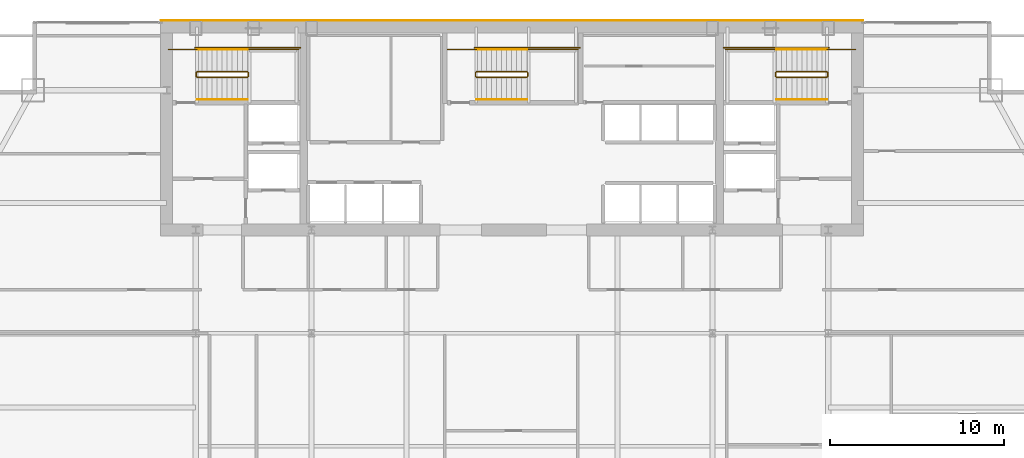
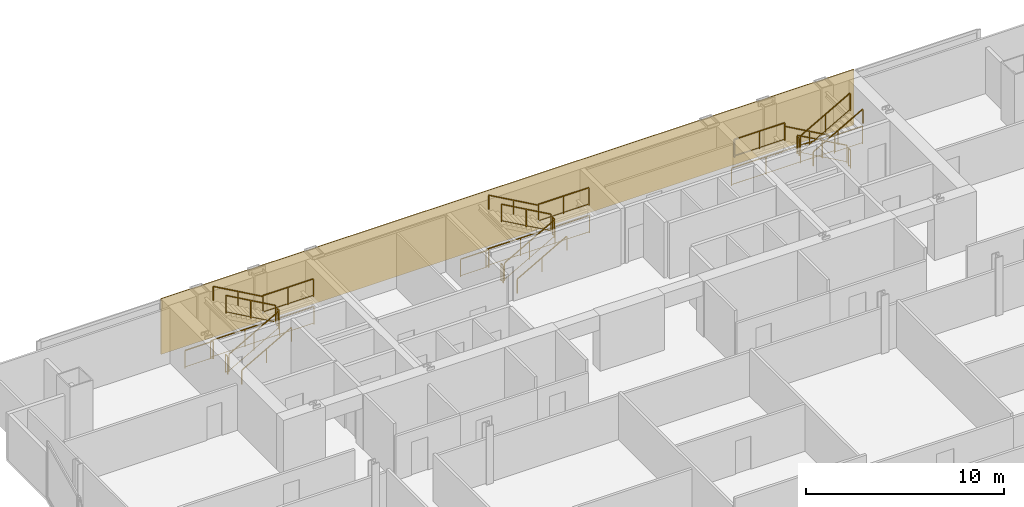
# One storey, part 29 of 29: 27 railings, 1 covering.
"""IFC4 building model written with IfcOpenShell, lengths in metres."""

from ifc_helpers import new_model, si_unit, direction, frame, origin, origin_2d, place, context, subcontext, project, spatial, polyline, rectangle, outline, extrude, material, layer, layer_set, type_object, element, save


model = new_model("IFC4")

# Units and contexts
model_context = context("Model", 3, precision=1e-05, world=origin(), true_north=direction((0.0, 1.0)))
body_context = subcontext(model_context, "Body", "Model", "MODEL_VIEW")
ifc_project = project(units=[si_unit("LENGTHUNIT", "METRE"), si_unit("AREAUNIT", "SQUARE_METRE"), si_unit("VOLUMEUNIT", "CUBIC_METRE"), si_unit("PLANEANGLEUNIT", "RADIAN"), si_unit("MASSUNIT", "GRAM", prefix="KILO")], contexts=[model_context])

# Site, building, storey
site_placement = place(None, origin())
site = spatial("IfcSite", under=ifc_project, at=site_placement, CompositionType="ELEMENT")
building_placement = place(site_placement, origin())
building = spatial("IfcBuilding", under=site, at=building_placement, Name="Khoronbel Lancet Exchange", CompositionType="ELEMENT")
storey_placement = place(building_placement, frame((0.0, 0.0, 165.0)))
storey = spatial("IfcBuildingStorey", under=building, at=storey_placement, Name="L41", CompositionType="ELEMENT", Elevation=165.0)

# Covering
ifc_material_1 = material(Name="Honed Egyptian Limestone & Bronze Rainscreen", Category="masonry")
ifc_layer = layer(ifc_material_1, 0.050048828125, Name="Honed Egyptian Limestone & Bronze Rainscreen")
ifc_layer_set = layer_set([ifc_layer], Name="Honed Egyptian Limestone & Bronze Rainscreen")
covering_type = type_object("IfcCoveringType", Name="COV-CLAD1", PredefinedType="CLADDING", material=ifc_layer_set)
covering_placement = place(storey_placement, origin())
element("IfcCovering", 1, at=covering_placement, inside=storey, type_object=covering_type, Name="Level L41 north rear-core stone and bronze rainscreen cladding", PredefinedType="CLADDING", context=body_context, shape_type="SweptSolid", body=[
    extrude(outline(polyline([(16.199951171875, 53.699951171875), (56.699951171875, 53.699951171875), (56.699951171875, 53.75), (16.199951171875, 53.75), (16.199951171875, 53.699951171875)])), origin(), (0.0, 0.0, 1.0), 3.43994140625),
])

# Railings
ifc_material_2 = material(Name="Painted Steel Balustrade", Category="steel")
railing_type_1 = type_object("IfcRailingType", Name="RL-STG110", PredefinedType="GUARDRAIL", material=ifc_material_2)
railing_1_placement = place(storey_placement, frame((18.300048828125, 50.449951171875, 0.16357421875)))
element("IfcRailing", 2, at=railing_1_placement, inside=storey, type_object=railing_type_1, Name="L41 ST1 stair guard 1", PredefinedType="GUARDRAIL", context=body_context, shape_type="SweptSolid", body=[
    extrude(rectangle(XDim=0.048095703125, YDim=0.048095703125, at=origin_2d()), frame((0.0, 0.0, 1.09619140625), z_axis=(0.870897200241, 0.0, 0.491465224214), x_axis=(0.0, 1.0, 0.0)), (0.0, 0.0, 1.0), 3.329833984375),
    extrude(rectangle(XDim=0.02392578125, YDim=0.02392578125, at=origin_2d()), frame((0.0, 0.0, 0.080078125), z_axis=(0.870897200241, 0.0, 0.491465224214), x_axis=(0.0, 1.0, 0.0)), (0.0, 0.0, 1.0), 3.329833984375),
    extrude(rectangle(XDim=0.0419921875, YDim=0.0419921875, at=origin_2d()), origin(), (0.0, 0.0, 1.0), 1.072021484375),
    extrude(rectangle(XDim=0.0419921875, YDim=0.0419921875, at=origin_2d()), frame((1.449951171875, 0.0, 0.818359375)), (0.0, 0.0, 1.0), 1.072021484375),
    extrude(rectangle(XDim=0.0419921875, YDim=0.0419921875, at=origin_2d()), frame((2.89990234375, 0.0, 1.636474609375)), (0.0, 0.0, 1.0), 1.072021484375),
])
railing_2_placement = place(storey_placement, frame((21.25, 50.5, 1.800048828125)))
element("IfcRailing", 3, at=railing_2_placement, inside=storey, type_object=railing_type_1, Name="L41 ST1 stair guard 2", PredefinedType="GUARDRAIL", context=body_context, shape_type="SweptSolid", body=[
    extrude(rectangle(XDim=0.048095703125, YDim=0.048095703125, at=origin_2d()), frame((0.0, 0.0, 1.09619140625), z_axis=(0.0, 1.0, 0.0), x_axis=(-1.0, 0.0, 0.0)), (0.0, 0.0, 1.0), 0.219970703125),
    extrude(rectangle(XDim=0.02392578125, YDim=0.02392578125, at=origin_2d()), frame((0.0, 0.0, 0.080078125), z_axis=(0.0, 1.0, 0.0), x_axis=(-1.0, 0.0, 0.0)), (0.0, 0.0, 1.0), 0.219970703125),
    extrude(rectangle(XDim=0.0419921875, YDim=0.0419921875, at=origin_2d()), origin(), (0.0, 0.0, 1.0), 1.072021484375),
    extrude(rectangle(XDim=0.0419921875, YDim=0.0419921875, at=origin_2d()), frame((0.0, 0.219970703125, 0.0)), (0.0, 0.0, 1.0), 1.072021484375),
])
railing_3_placement = place(storey_placement, frame((21.199951171875, 52.050048828125, 1.800048828125)))
element("IfcRailing", 4, at=railing_3_placement, inside=storey, type_object=railing_type_1, Name="L41 ST1 stair guard 3", PredefinedType="GUARDRAIL", context=body_context, shape_type="SweptSolid", body=[
    extrude(rectangle(XDim=0.048095703125, YDim=0.048095703125, at=origin_2d()), frame((0.0, 0.0, 1.09619140625), z_axis=(1.0, 0.0, 0.0), x_axis=(0.0, 1.0, 0.0)), (0.0, 0.0, 1.0), 2.949951171875),
    extrude(rectangle(XDim=0.02392578125, YDim=0.02392578125, at=origin_2d()), frame((0.0, 0.0, 0.080078125), z_axis=(1.0, 0.0, 0.0), x_axis=(0.0, 1.0, 0.0)), (0.0, 0.0, 1.0), 2.949951171875),
    extrude(rectangle(XDim=0.0419921875, YDim=0.0419921875, at=origin_2d()), origin(), (0.0, 0.0, 1.0), 1.072021484375),
    extrude(rectangle(XDim=0.0419921875, YDim=0.0419921875, at=origin_2d()), frame((1.47509765625, 0.0, 0.0)), (0.0, 0.0, 1.0), 1.072021484375),
    extrude(rectangle(XDim=0.0419921875, YDim=0.0419921875, at=origin_2d()), frame((2.949951171875, 0.0, 0.0)), (0.0, 0.0, 1.0), 1.072021484375),
])
railing_4_placement = place(storey_placement, frame((21.199951171875, 50.77001953125, 1.963623046875)))
element("IfcRailing", 5, at=railing_4_placement, inside=storey, type_object=railing_type_1, Name="L41 ST1 stair guard 4", PredefinedType="GUARDRAIL", context=body_context, shape_type="SweptSolid", body=[
    extrude(rectangle(XDim=0.048095703125, YDim=0.048095703125, at=origin_2d()), frame((0.0, 0.0, 1.09619140625), z_axis=(-0.870897200241, 0.0, 0.491465224214), x_axis=(0.0, -1.0, 0.0)), (0.0, 0.0, 1.0), 3.329833984375),
    extrude(rectangle(XDim=0.02392578125, YDim=0.02392578125, at=origin_2d()), frame((0.0, 0.0, 0.080078125), z_axis=(-0.870897200241, 0.0, 0.491465224214), x_axis=(0.0, -1.0, 0.0)), (0.0, 0.0, 1.0), 3.329833984375),
    extrude(rectangle(XDim=0.0419921875, YDim=0.0419921875, at=origin_2d()), origin(), (0.0, 0.0, 1.0), 1.072021484375),
    extrude(rectangle(XDim=0.0419921875, YDim=0.0419921875, at=origin_2d()), frame((-1.449951171875, 0.0, 0.818359375)), (0.0, 0.0, 1.0), 1.072021484375),
    extrude(rectangle(XDim=0.0419921875, YDim=0.0419921875, at=origin_2d()), frame((-2.89990234375, 0.0, 1.636474609375)), (0.0, 0.0, 1.0), 1.072021484375),
])
railing_5_placement = place(storey_placement, frame((18.25, 50.5, 0.0)))
element("IfcRailing", 6, at=railing_5_placement, inside=storey, type_object=railing_type_1, Name="L41 ST1 stair guard 5", PredefinedType="GUARDRAIL", context=body_context, shape_type="SweptSolid", body=[
    extrude(rectangle(XDim=0.048095703125, YDim=0.048095703125, at=origin_2d()), frame((0.0, 0.0, 1.09619140625), z_axis=(0.0, 1.0, 0.0), x_axis=(-1.0, 0.0, 0.0)), (0.0, 0.0, 1.0), 0.219970703125),
    extrude(rectangle(XDim=0.02392578125, YDim=0.02392578125, at=origin_2d()), frame((0.0, 0.0, 0.080078125), z_axis=(0.0, 1.0, 0.0), x_axis=(-1.0, 0.0, 0.0)), (0.0, 0.0, 1.0), 0.219970703125),
    extrude(rectangle(XDim=0.0419921875, YDim=0.0419921875, at=origin_2d()), origin(), (0.0, 0.0, 1.0), 1.072021484375),
    extrude(rectangle(XDim=0.0419921875, YDim=0.0419921875, at=origin_2d()), frame((0.0, 0.219970703125, 0.0)), (0.0, 0.0, 1.0), 1.072021484375),
])
railing_6_placement = place(storey_placement, frame((16.64990234375, 52.050048828125, 0.0)))
element("IfcRailing", 7, at=railing_6_placement, inside=storey, type_object=railing_type_1, Name="L41 ST1 stair guard 6", PredefinedType="GUARDRAIL", context=body_context, shape_type="SweptSolid", body=[
    extrude(rectangle(XDim=0.048095703125, YDim=0.048095703125, at=origin_2d()), frame((0.0, 0.0, 1.09619140625), z_axis=(1.0, 0.0, 0.0), x_axis=(0.0, 1.0, 0.0)), (0.0, 0.0, 1.0), 1.650146484375),
    extrude(rectangle(XDim=0.02392578125, YDim=0.02392578125, at=origin_2d()), frame((0.0, 0.0, 0.080078125), z_axis=(1.0, 0.0, 0.0), x_axis=(0.0, 1.0, 0.0)), (0.0, 0.0, 1.0), 1.650146484375),
    extrude(rectangle(XDim=0.0419921875, YDim=0.0419921875, at=origin_2d()), origin(), (0.0, 0.0, 1.0), 1.072021484375),
    extrude(rectangle(XDim=0.0419921875, YDim=0.0419921875, at=origin_2d()), frame((1.650146484375, 0.0, 0.0)), (0.0, 0.0, 1.0), 1.072021484375),
])
railing_7_placement = place(storey_placement, frame((18.199951171875, 52.14990234375, 0.0)))
element("IfcRailing", 8, at=railing_7_placement, inside=storey, type_object=railing_type_1, Name="L41 ST1 stair guard 7", PredefinedType="GUARDRAIL", context=body_context, shape_type="SweptSolid", body=[
    extrude(rectangle(XDim=0.048095703125, YDim=0.048095703125, at=origin_2d()), frame((0.0, 0.0, 1.09619140625), z_axis=(1.0, 0.0, 0.0), x_axis=(0.0, 1.0, 0.0)), (0.0, 0.0, 1.0), 6.050048828125),
    extrude(rectangle(XDim=0.02392578125, YDim=0.02392578125, at=origin_2d()), frame((0.0, 0.0, 0.080078125), z_axis=(1.0, 0.0, 0.0), x_axis=(0.0, 1.0, 0.0)), (0.0, 0.0, 1.0), 6.050048828125),
    extrude(rectangle(XDim=0.0419921875, YDim=0.0419921875, at=origin_2d()), origin(), (0.0, 0.0, 1.0), 1.072021484375),
    extrude(rectangle(XDim=0.0419921875, YDim=0.0419921875, at=origin_2d()), frame((2.0166015625, 0.0, 0.0)), (0.0, 0.0, 1.0), 1.072021484375),
    extrude(rectangle(XDim=0.0419921875, YDim=0.0419921875, at=origin_2d()), frame((4.033447265625, 0.0, 0.0)), (0.0, 0.0, 1.0), 1.072021484375),
    extrude(rectangle(XDim=0.0419921875, YDim=0.0419921875, at=origin_2d()), frame((6.050048828125, 0.0, 0.0)), (0.0, 0.0, 1.0), 1.072021484375),
])
railing_8_placement = place(storey_placement, frame((54.60009765625, 50.77001953125, 0.16357421875)))
element("IfcRailing", 9, at=railing_8_placement, inside=storey, type_object=railing_type_1, Name="L41 ST2 stair guard 1", PredefinedType="GUARDRAIL", context=body_context, shape_type="SweptSolid", body=[
    extrude(rectangle(XDim=0.048095703125, YDim=0.048095703125, at=origin_2d()), frame((0.0, 0.0, 1.09619140625), z_axis=(-0.870914908162, 0.0, 0.491433843708), x_axis=(0.0, -1.0, 0.0)), (0.0, 0.0, 1.0), 3.330078125),
    extrude(rectangle(XDim=0.02392578125, YDim=0.02392578125, at=origin_2d()), frame((0.0, 0.0, 0.080078125), z_axis=(-0.870914908162, 0.0, 0.491433843708), x_axis=(0.0, -1.0, 0.0)), (0.0, 0.0, 1.0), 3.330078125),
    extrude(rectangle(XDim=0.0419921875, YDim=0.0419921875, at=origin_2d()), origin(), (0.0, 0.0, 1.0), 1.072021484375),
    extrude(rectangle(XDim=0.0419921875, YDim=0.0419921875, at=origin_2d()), frame((-1.4501953125, 0.0, 0.818359375)), (0.0, 0.0, 1.0), 1.072021484375),
    extrude(rectangle(XDim=0.0419921875, YDim=0.0419921875, at=origin_2d()), frame((-2.900146484375, 0.0, 1.636474609375)), (0.0, 0.0, 1.0), 1.072021484375),
])
railing_9_placement = place(storey_placement, frame((51.64990234375, 50.719970703125, 1.800048828125)))
element("IfcRailing", 10, at=railing_9_placement, inside=storey, type_object=railing_type_1, Name="L41 ST2 stair guard 2", PredefinedType="GUARDRAIL", context=body_context, shape_type="SweptSolid", body=[
    extrude(rectangle(XDim=0.048095703125, YDim=0.048095703125, at=origin_2d()), frame((0.0, 0.0, 1.09619140625), z_axis=(0.0, -1.0, 0.0), x_axis=(1.0, 0.0, 0.0)), (0.0, 0.0, 1.0), 0.219970703125),
    extrude(rectangle(XDim=0.02392578125, YDim=0.02392578125, at=origin_2d()), frame((0.0, 0.0, 0.080078125), z_axis=(0.0, -1.0, 0.0), x_axis=(1.0, 0.0, 0.0)), (0.0, 0.0, 1.0), 0.219970703125),
    extrude(rectangle(XDim=0.0419921875, YDim=0.0419921875, at=origin_2d()), origin(), (0.0, 0.0, 1.0), 1.072021484375),
    extrude(rectangle(XDim=0.0419921875, YDim=0.0419921875, at=origin_2d()), frame((0.0, -0.219970703125, 0.0)), (0.0, 0.0, 1.0), 1.072021484375),
])
railing_10_placement = place(storey_placement, frame((51.699951171875, 52.050048828125, 1.800048828125)))
element("IfcRailing", 11, at=railing_10_placement, inside=storey, type_object=railing_type_1, Name="L41 ST2 stair guard 3", PredefinedType="GUARDRAIL", context=body_context, shape_type="SweptSolid", body=[
    extrude(rectangle(XDim=0.048095703125, YDim=0.048095703125, at=origin_2d()), frame((0.0, 0.0, 1.09619140625), z_axis=(-1.0, 0.0, 0.0), x_axis=(0.0, -1.0, 0.0)), (0.0, 0.0, 1.0), 2.949951171875),
    extrude(rectangle(XDim=0.02392578125, YDim=0.02392578125, at=origin_2d()), frame((0.0, 0.0, 0.080078125), z_axis=(-1.0, 0.0, 0.0), x_axis=(0.0, -1.0, 0.0)), (0.0, 0.0, 1.0), 2.949951171875),
    extrude(rectangle(XDim=0.0419921875, YDim=0.0419921875, at=origin_2d()), origin(), (0.0, 0.0, 1.0), 1.072021484375),
    extrude(rectangle(XDim=0.0419921875, YDim=0.0419921875, at=origin_2d()), frame((-1.47509765625, 0.0, 0.0)), (0.0, 0.0, 1.0), 1.072021484375),
    extrude(rectangle(XDim=0.0419921875, YDim=0.0419921875, at=origin_2d()), frame((-2.949951171875, 0.0, 0.0)), (0.0, 0.0, 1.0), 1.072021484375),
])
railing_11_placement = place(storey_placement, frame((51.699951171875, 50.449951171875, 1.963623046875)))
element("IfcRailing", 12, at=railing_11_placement, inside=storey, type_object=railing_type_1, Name="L41 ST2 stair guard 4", PredefinedType="GUARDRAIL", context=body_context, shape_type="SweptSolid", body=[
    extrude(rectangle(XDim=0.048095703125, YDim=0.048095703125, at=origin_2d()), frame((0.0, 0.0, 1.09619140625), z_axis=(0.870914908162, 0.0, 0.491433843708), x_axis=(0.0, 1.0, 0.0)), (0.0, 0.0, 1.0), 3.330078125),
    extrude(rectangle(XDim=0.02392578125, YDim=0.02392578125, at=origin_2d()), frame((0.0, 0.0, 0.080078125), z_axis=(0.870914908162, 0.0, 0.491433843708), x_axis=(0.0, 1.0, 0.0)), (0.0, 0.0, 1.0), 3.330078125),
    extrude(rectangle(XDim=0.0419921875, YDim=0.0419921875, at=origin_2d()), origin(), (0.0, 0.0, 1.0), 1.072021484375),
    extrude(rectangle(XDim=0.0419921875, YDim=0.0419921875, at=origin_2d()), frame((1.4501953125, 0.0, 0.818359375)), (0.0, 0.0, 1.0), 1.072021484375),
    extrude(rectangle(XDim=0.0419921875, YDim=0.0419921875, at=origin_2d()), frame((2.900146484375, 0.0, 1.636474609375)), (0.0, 0.0, 1.0), 1.072021484375),
])
railing_12_placement = place(storey_placement, frame((54.64990234375, 50.719970703125, 0.0)))
element("IfcRailing", 13, at=railing_12_placement, inside=storey, type_object=railing_type_1, Name="L41 ST2 stair guard 5", PredefinedType="GUARDRAIL", context=body_context, shape_type="SweptSolid", body=[
    extrude(rectangle(XDim=0.048095703125, YDim=0.048095703125, at=origin_2d()), frame((0.0, 0.0, 1.09619140625), z_axis=(0.0, -1.0, 0.0), x_axis=(1.0, 0.0, 0.0)), (0.0, 0.0, 1.0), 0.219970703125),
    extrude(rectangle(XDim=0.02392578125, YDim=0.02392578125, at=origin_2d()), frame((0.0, 0.0, 0.080078125), z_axis=(0.0, -1.0, 0.0), x_axis=(1.0, 0.0, 0.0)), (0.0, 0.0, 1.0), 0.219970703125),
    extrude(rectangle(XDim=0.0419921875, YDim=0.0419921875, at=origin_2d()), origin(), (0.0, 0.0, 1.0), 1.072021484375),
    extrude(rectangle(XDim=0.0419921875, YDim=0.0419921875, at=origin_2d()), frame((0.0, -0.219970703125, 0.0)), (0.0, 0.0, 1.0), 1.072021484375),
])
railing_13_placement = place(storey_placement, frame((56.25, 52.050048828125, 0.0)))
element("IfcRailing", 14, at=railing_13_placement, inside=storey, type_object=railing_type_1, Name="L41 ST2 stair guard 6", PredefinedType="GUARDRAIL", context=body_context, shape_type="SweptSolid", body=[
    extrude(rectangle(XDim=0.048095703125, YDim=0.048095703125, at=origin_2d()), frame((0.0, 0.0, 1.09619140625), z_axis=(-1.0, 0.0, 0.0), x_axis=(0.0, -1.0, 0.0)), (0.0, 0.0, 1.0), 1.64990234375),
    extrude(rectangle(XDim=0.02392578125, YDim=0.02392578125, at=origin_2d()), frame((0.0, 0.0, 0.080078125), z_axis=(-1.0, 0.0, 0.0), x_axis=(0.0, -1.0, 0.0)), (0.0, 0.0, 1.0), 1.64990234375),
    extrude(rectangle(XDim=0.0419921875, YDim=0.0419921875, at=origin_2d()), origin(), (0.0, 0.0, 1.0), 1.072021484375),
    extrude(rectangle(XDim=0.0419921875, YDim=0.0419921875, at=origin_2d()), frame((-1.64990234375, 0.0, 0.0)), (0.0, 0.0, 1.0), 1.072021484375),
])
railing_14_placement = place(storey_placement, frame((54.699951171875, 52.14990234375, 0.0)))
element("IfcRailing", 15, at=railing_14_placement, inside=storey, type_object=railing_type_1, Name="L41 ST2 stair guard 7", PredefinedType="GUARDRAIL", context=body_context, shape_type="SweptSolid", body=[
    extrude(rectangle(XDim=0.048095703125, YDim=0.048095703125, at=origin_2d()), frame((0.0, 0.0, 1.09619140625), z_axis=(-1.0, 0.0, 0.0), x_axis=(0.0, -1.0, 0.0)), (0.0, 0.0, 1.0), 6.050048828125),
    extrude(rectangle(XDim=0.02392578125, YDim=0.02392578125, at=origin_2d()), frame((0.0, 0.0, 0.080078125), z_axis=(-1.0, 0.0, 0.0), x_axis=(0.0, -1.0, 0.0)), (0.0, 0.0, 1.0), 6.050048828125),
    extrude(rectangle(XDim=0.0419921875, YDim=0.0419921875, at=origin_2d()), origin(), (0.0, 0.0, 1.0), 1.072021484375),
    extrude(rectangle(XDim=0.0419921875, YDim=0.0419921875, at=origin_2d()), frame((-2.0166015625, 0.0, 0.0)), (0.0, 0.0, 1.0), 1.072021484375),
    extrude(rectangle(XDim=0.0419921875, YDim=0.0419921875, at=origin_2d()), frame((-4.033447265625, 0.0, 0.0)), (0.0, 0.0, 1.0), 1.072021484375),
    extrude(rectangle(XDim=0.0419921875, YDim=0.0419921875, at=origin_2d()), frame((-6.050048828125, 0.0, 0.0)), (0.0, 0.0, 1.0), 1.072021484375),
])
railing_15_placement = place(storey_placement, frame((34.39990234375, 50.449951171875, 0.16357421875)))
element("IfcRailing", 16, at=railing_15_placement, inside=storey, type_object=railing_type_1, Name="L41 ST3 stair guard 1", PredefinedType="GUARDRAIL", context=body_context, shape_type="SweptSolid", body=[
    extrude(rectangle(XDim=0.048095703125, YDim=0.048095703125, at=origin_2d()), frame((0.0, 0.0, 1.09619140625), z_axis=(0.870914908162, 0.0, 0.491433843708), x_axis=(0.0, 1.0, 0.0)), (0.0, 0.0, 1.0), 3.330078125),
    extrude(rectangle(XDim=0.02392578125, YDim=0.02392578125, at=origin_2d()), frame((0.0, 0.0, 0.080078125), z_axis=(0.870914908162, 0.0, 0.491433843708), x_axis=(0.0, 1.0, 0.0)), (0.0, 0.0, 1.0), 3.330078125),
    extrude(rectangle(XDim=0.0419921875, YDim=0.0419921875, at=origin_2d()), origin(), (0.0, 0.0, 1.0), 1.072021484375),
    extrude(rectangle(XDim=0.0419921875, YDim=0.0419921875, at=origin_2d()), frame((1.4501953125, 0.0, 0.818359375)), (0.0, 0.0, 1.0), 1.072021484375),
    extrude(rectangle(XDim=0.0419921875, YDim=0.0419921875, at=origin_2d()), frame((2.900146484375, 0.0, 1.636474609375)), (0.0, 0.0, 1.0), 1.072021484375),
])
railing_16_placement = place(storey_placement, frame((37.35009765625, 50.5, 1.800048828125)))
element("IfcRailing", 17, at=railing_16_placement, inside=storey, type_object=railing_type_1, Name="L41 ST3 stair guard 2", PredefinedType="GUARDRAIL", context=body_context, shape_type="SweptSolid", body=[
    extrude(rectangle(XDim=0.048095703125, YDim=0.048095703125, at=origin_2d()), frame((0.0, 0.0, 1.09619140625), z_axis=(0.0, 1.0, 0.0), x_axis=(-1.0, 0.0, 0.0)), (0.0, 0.0, 1.0), 0.219970703125),
    extrude(rectangle(XDim=0.02392578125, YDim=0.02392578125, at=origin_2d()), frame((0.0, 0.0, 0.080078125), z_axis=(0.0, 1.0, 0.0), x_axis=(-1.0, 0.0, 0.0)), (0.0, 0.0, 1.0), 0.219970703125),
    extrude(rectangle(XDim=0.0419921875, YDim=0.0419921875, at=origin_2d()), origin(), (0.0, 0.0, 1.0), 1.072021484375),
    extrude(rectangle(XDim=0.0419921875, YDim=0.0419921875, at=origin_2d()), frame((0.0, 0.219970703125, 0.0)), (0.0, 0.0, 1.0), 1.072021484375),
])
railing_17_placement = place(storey_placement, frame((37.300048828125, 52.050048828125, 1.800048828125)))
element("IfcRailing", 18, at=railing_17_placement, inside=storey, type_object=railing_type_1, Name="L41 ST3 stair guard 3", PredefinedType="GUARDRAIL", context=body_context, shape_type="SweptSolid", body=[
    extrude(rectangle(XDim=0.048095703125, YDim=0.048095703125, at=origin_2d()), frame((0.0, 0.0, 1.09619140625), z_axis=(1.0, 0.0, 0.0), x_axis=(0.0, 1.0, 0.0)), (0.0, 0.0, 1.0), 2.949951171875),
    extrude(rectangle(XDim=0.02392578125, YDim=0.02392578125, at=origin_2d()), frame((0.0, 0.0, 0.080078125), z_axis=(1.0, 0.0, 0.0), x_axis=(0.0, 1.0, 0.0)), (0.0, 0.0, 1.0), 2.949951171875),
    extrude(rectangle(XDim=0.0419921875, YDim=0.0419921875, at=origin_2d()), origin(), (0.0, 0.0, 1.0), 1.072021484375),
    extrude(rectangle(XDim=0.0419921875, YDim=0.0419921875, at=origin_2d()), frame((1.47509765625, 0.0, 0.0)), (0.0, 0.0, 1.0), 1.072021484375),
    extrude(rectangle(XDim=0.0419921875, YDim=0.0419921875, at=origin_2d()), frame((2.949951171875, 0.0, 0.0)), (0.0, 0.0, 1.0), 1.072021484375),
])
railing_18_placement = place(storey_placement, frame((37.300048828125, 50.77001953125, 1.963623046875)))
element("IfcRailing", 19, at=railing_18_placement, inside=storey, type_object=railing_type_1, Name="L41 ST3 stair guard 4", PredefinedType="GUARDRAIL", context=body_context, shape_type="SweptSolid", body=[
    extrude(rectangle(XDim=0.048095703125, YDim=0.048095703125, at=origin_2d()), frame((0.0, 0.0, 1.09619140625), z_axis=(-0.870914908162, 0.0, 0.491433843708), x_axis=(0.0, -1.0, 0.0)), (0.0, 0.0, 1.0), 3.330078125),
    extrude(rectangle(XDim=0.02392578125, YDim=0.02392578125, at=origin_2d()), frame((0.0, 0.0, 0.080078125), z_axis=(-0.870914908162, 0.0, 0.491433843708), x_axis=(0.0, -1.0, 0.0)), (0.0, 0.0, 1.0), 3.330078125),
    extrude(rectangle(XDim=0.0419921875, YDim=0.0419921875, at=origin_2d()), origin(), (0.0, 0.0, 1.0), 1.072021484375),
    extrude(rectangle(XDim=0.0419921875, YDim=0.0419921875, at=origin_2d()), frame((-1.4501953125, 0.0, 0.818359375)), (0.0, 0.0, 1.0), 1.072021484375),
    extrude(rectangle(XDim=0.0419921875, YDim=0.0419921875, at=origin_2d()), frame((-2.900146484375, 0.0, 1.636474609375)), (0.0, 0.0, 1.0), 1.072021484375),
])
railing_19_placement = place(storey_placement, frame((34.35009765625, 50.5, 0.0)))
element("IfcRailing", 20, at=railing_19_placement, inside=storey, type_object=railing_type_1, Name="L41 ST3 stair guard 5", PredefinedType="GUARDRAIL", context=body_context, shape_type="SweptSolid", body=[
    extrude(rectangle(XDim=0.048095703125, YDim=0.048095703125, at=origin_2d()), frame((0.0, 0.0, 1.09619140625), z_axis=(0.0, 1.0, 0.0), x_axis=(-1.0, 0.0, 0.0)), (0.0, 0.0, 1.0), 0.219970703125),
    extrude(rectangle(XDim=0.02392578125, YDim=0.02392578125, at=origin_2d()), frame((0.0, 0.0, 0.080078125), z_axis=(0.0, 1.0, 0.0), x_axis=(-1.0, 0.0, 0.0)), (0.0, 0.0, 1.0), 0.219970703125),
    extrude(rectangle(XDim=0.0419921875, YDim=0.0419921875, at=origin_2d()), origin(), (0.0, 0.0, 1.0), 1.072021484375),
    extrude(rectangle(XDim=0.0419921875, YDim=0.0419921875, at=origin_2d()), frame((0.0, 0.219970703125, 0.0)), (0.0, 0.0, 1.0), 1.072021484375),
])
railing_20_placement = place(storey_placement, frame((32.75, 52.050048828125, 0.0)))
element("IfcRailing", 21, at=railing_20_placement, inside=storey, type_object=railing_type_1, Name="L41 ST3 stair guard 6", PredefinedType="GUARDRAIL", context=body_context, shape_type="SweptSolid", body=[
    extrude(rectangle(XDim=0.048095703125, YDim=0.048095703125, at=origin_2d()), frame((0.0, 0.0, 1.09619140625), z_axis=(1.0, 0.0, 0.0), x_axis=(0.0, 1.0, 0.0)), (0.0, 0.0, 1.0), 1.64990234375),
    extrude(rectangle(XDim=0.02392578125, YDim=0.02392578125, at=origin_2d()), frame((0.0, 0.0, 0.080078125), z_axis=(1.0, 0.0, 0.0), x_axis=(0.0, 1.0, 0.0)), (0.0, 0.0, 1.0), 1.64990234375),
    extrude(rectangle(XDim=0.0419921875, YDim=0.0419921875, at=origin_2d()), origin(), (0.0, 0.0, 1.0), 1.072021484375),
    extrude(rectangle(XDim=0.0419921875, YDim=0.0419921875, at=origin_2d()), frame((1.64990234375, 0.0, 0.0)), (0.0, 0.0, 1.0), 1.072021484375),
])
railing_21_placement = place(storey_placement, frame((34.300048828125, 52.14990234375, 0.0)))
element("IfcRailing", 22, at=railing_21_placement, inside=storey, type_object=railing_type_1, Name="L41 ST3 stair guard 7", PredefinedType="GUARDRAIL", context=body_context, shape_type="SweptSolid", body=[
    extrude(rectangle(XDim=0.048095703125, YDim=0.048095703125, at=origin_2d()), frame((0.0, 0.0, 1.09619140625), z_axis=(1.0, 0.0, 0.0), x_axis=(0.0, 1.0, 0.0)), (0.0, 0.0, 1.0), 6.050048828125),
    extrude(rectangle(XDim=0.02392578125, YDim=0.02392578125, at=origin_2d()), frame((0.0, 0.0, 0.080078125), z_axis=(1.0, 0.0, 0.0), x_axis=(0.0, 1.0, 0.0)), (0.0, 0.0, 1.0), 6.050048828125),
    extrude(rectangle(XDim=0.0419921875, YDim=0.0419921875, at=origin_2d()), origin(), (0.0, 0.0, 1.0), 1.072021484375),
    extrude(rectangle(XDim=0.0419921875, YDim=0.0419921875, at=origin_2d()), frame((2.0166015625, 0.0, 0.0)), (0.0, 0.0, 1.0), 1.072021484375),
    extrude(rectangle(XDim=0.0419921875, YDim=0.0419921875, at=origin_2d()), frame((4.033447265625, 0.0, 0.0)), (0.0, 0.0, 1.0), 1.072021484375),
    extrude(rectangle(XDim=0.0419921875, YDim=0.0419921875, at=origin_2d()), frame((6.050048828125, 0.0, 0.0)), (0.0, 0.0, 1.0), 1.072021484375),
])
ifc_material_3 = material(Name="Brushed Stainless Steel 316", Category="steel")
railing_type_2 = type_object("IfcRailingType", Name="RL-STH92", PredefinedType="HANDRAIL", material=ifc_material_3)
railing_22_placement = place(storey_placement, frame((18.300048828125, 49.169921875, 0.16357421875)))
element("IfcRailing", 23, at=railing_22_placement, inside=storey, type_object=railing_type_2, Name="L41 ST1 stair handrail 1", PredefinedType="HANDRAIL", context=body_context, shape_type="SweptSolid", body=[
    extrude(rectangle(XDim=0.048095703125, YDim=0.048095703125, at=origin_2d()), frame((0.0, 0.0, 0.8759765625), z_axis=(0.870897200241, 0.0, 0.491465224214), x_axis=(0.0, 1.0, 0.0)), (0.0, 0.0, 1.0), 3.329833984375),
    extrude(rectangle(XDim=0.0419921875, YDim=0.0419921875, at=origin_2d()), origin(), (0.0, 0.0, 1.0), 0.851806640625),
    extrude(rectangle(XDim=0.0419921875, YDim=0.0419921875, at=origin_2d()), frame((1.449951171875, 0.0, 0.818359375)), (0.0, 0.0, 1.0), 0.851806640625),
    extrude(rectangle(XDim=0.0419921875, YDim=0.0419921875, at=origin_2d()), frame((2.89990234375, 0.0, 1.636474609375)), (0.0, 0.0, 1.0), 0.851806640625),
])
railing_23_placement = place(storey_placement, frame((21.199951171875, 52.050048828125, 1.963623046875)))
element("IfcRailing", 24, at=railing_23_placement, inside=storey, type_object=railing_type_2, Name="L41 ST1 stair handrail 2", PredefinedType="HANDRAIL", context=body_context, shape_type="SweptSolid", body=[
    extrude(rectangle(XDim=0.048095703125, YDim=0.048095703125, at=origin_2d()), frame((0.0, 0.0, 0.8759765625), z_axis=(-0.870897200241, 0.0, 0.491465224214), x_axis=(0.0, -1.0, 0.0)), (0.0, 0.0, 1.0), 3.329833984375),
    extrude(rectangle(XDim=0.0419921875, YDim=0.0419921875, at=origin_2d()), origin(), (0.0, 0.0, 1.0), 0.851806640625),
    extrude(rectangle(XDim=0.0419921875, YDim=0.0419921875, at=origin_2d()), frame((-1.449951171875, 0.0, 0.818359375)), (0.0, 0.0, 1.0), 0.851806640625),
    extrude(rectangle(XDim=0.0419921875, YDim=0.0419921875, at=origin_2d()), frame((-2.89990234375, 0.0, 1.636474609375)), (0.0, 0.0, 1.0), 0.851806640625),
])
railing_24_placement = place(storey_placement, frame((54.60009765625, 52.050048828125, 0.16357421875)))
element("IfcRailing", 25, at=railing_24_placement, inside=storey, type_object=railing_type_2, Name="L41 ST2 stair handrail 1", PredefinedType="HANDRAIL", context=body_context, shape_type="SweptSolid", body=[
    extrude(rectangle(XDim=0.048095703125, YDim=0.048095703125, at=origin_2d()), frame((0.0, 0.0, 0.8759765625), z_axis=(-0.870914908162, 0.0, 0.491433843708), x_axis=(0.0, -1.0, 0.0)), (0.0, 0.0, 1.0), 3.330078125),
    extrude(rectangle(XDim=0.0419921875, YDim=0.0419921875, at=origin_2d()), origin(), (0.0, 0.0, 1.0), 0.851806640625),
    extrude(rectangle(XDim=0.0419921875, YDim=0.0419921875, at=origin_2d()), frame((-1.4501953125, 0.0, 0.818359375)), (0.0, 0.0, 1.0), 0.851806640625),
    extrude(rectangle(XDim=0.0419921875, YDim=0.0419921875, at=origin_2d()), frame((-2.900146484375, 0.0, 1.636474609375)), (0.0, 0.0, 1.0), 0.851806640625),
])
for number, where, name in (
    (26, (51.699951171875, 49.169921875, 1.963623046875), "L41 ST2 stair handrail 2"),
    (27, (34.39990234375, 49.169921875, 0.16357421875), "L41 ST3 stair handrail 1"),
):
    element("IfcRailing", number, at=place(storey_placement, frame(where)), inside=storey, type_object=railing_type_2, Name=name, PredefinedType="HANDRAIL", context=body_context, shape_type="SweptSolid", body=[
        extrude(rectangle(XDim=0.048095703125, YDim=0.048095703125, at=origin_2d()), frame((0.0, 0.0, 0.8759765625), z_axis=(0.870914908162, 0.0, 0.491433843708), x_axis=(0.0, 1.0, 0.0)), (0.0, 0.0, 1.0), 3.330078125),
        extrude(rectangle(XDim=0.0419921875, YDim=0.0419921875, at=origin_2d()), origin(), (0.0, 0.0, 1.0), 0.851806640625),
        extrude(rectangle(XDim=0.0419921875, YDim=0.0419921875, at=origin_2d()), frame((1.4501953125, 0.0, 0.818359375)), (0.0, 0.0, 1.0), 0.851806640625),
        extrude(rectangle(XDim=0.0419921875, YDim=0.0419921875, at=origin_2d()), frame((2.900146484375, 0.0, 1.636474609375)), (0.0, 0.0, 1.0), 0.851806640625),
    ])
railing_25_placement = place(storey_placement, frame((37.300048828125, 52.050048828125, 1.963623046875)))
element("IfcRailing", 28, at=railing_25_placement, inside=storey, type_object=railing_type_2, Name="L41 ST3 stair handrail 2", PredefinedType="HANDRAIL", context=body_context, shape_type="SweptSolid", body=[
    extrude(rectangle(XDim=0.048095703125, YDim=0.048095703125, at=origin_2d()), frame((0.0, 0.0, 0.8759765625), z_axis=(-0.870914908162, 0.0, 0.491433843708), x_axis=(0.0, -1.0, 0.0)), (0.0, 0.0, 1.0), 3.330078125),
    extrude(rectangle(XDim=0.0419921875, YDim=0.0419921875, at=origin_2d()), origin(), (0.0, 0.0, 1.0), 0.851806640625),
    extrude(rectangle(XDim=0.0419921875, YDim=0.0419921875, at=origin_2d()), frame((-1.4501953125, 0.0, 0.818359375)), (0.0, 0.0, 1.0), 0.851806640625),
    extrude(rectangle(XDim=0.0419921875, YDim=0.0419921875, at=origin_2d()), frame((-2.900146484375, 0.0, 1.636474609375)), (0.0, 0.0, 1.0), 0.851806640625),
])

save(model, "model.ifc")
